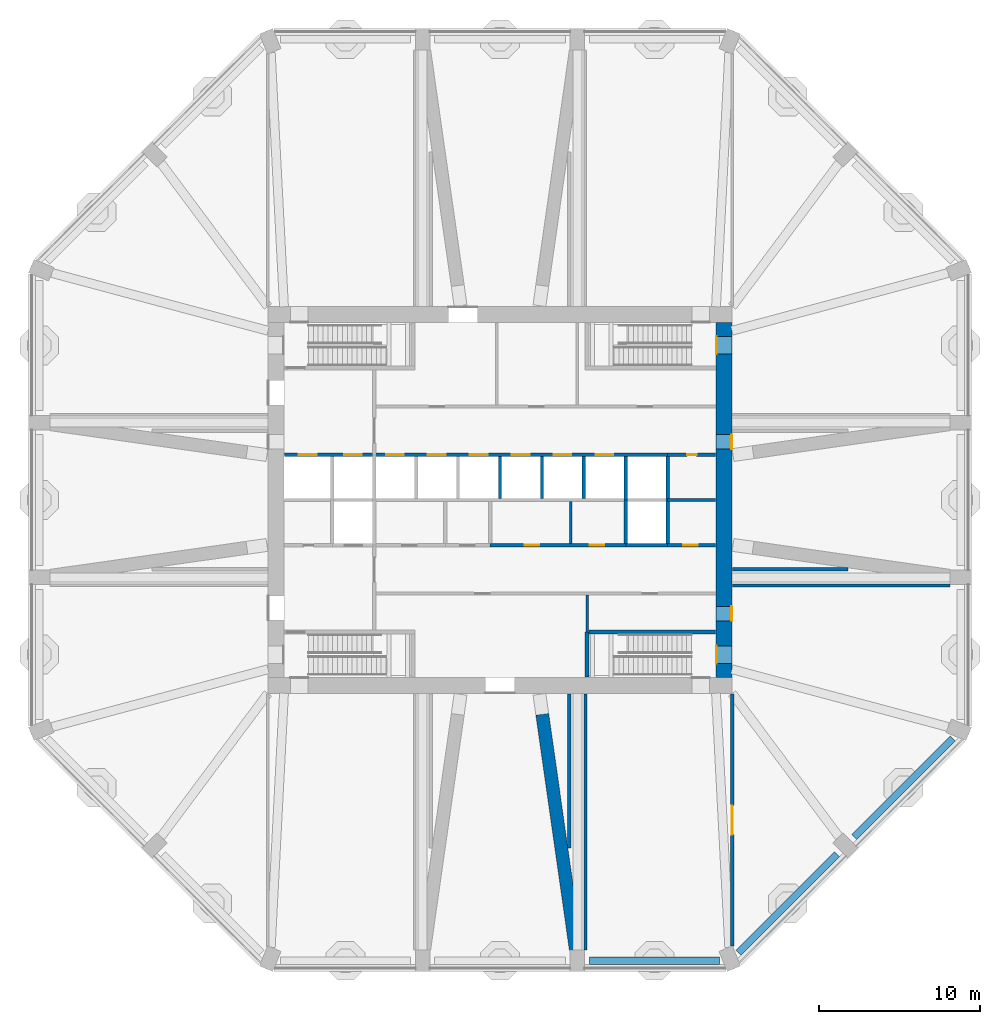
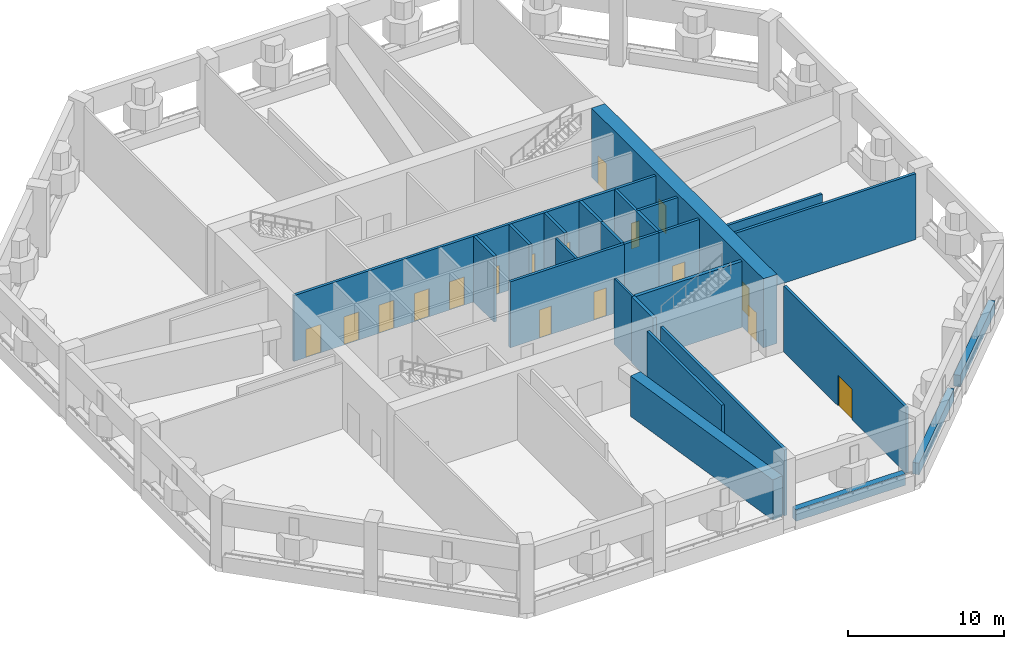
# One storey, part 4 of 9: 26 walls, 17 doors, 17 openings.
"""IFC4 building model written with IfcOpenShell, lengths in metres."""

from ifc_helpers import new_model, si_unit, direction, frame, frame_2d, origin, place, context, subcontext, project, spatial, rectangle, extrude, material, layer, layer_set, type_object, element, fill, save


model = new_model("IFC4")

# Units and contexts
model_context = context("Model", 3, precision=1e-05, world=origin(), true_north=direction((0.0, 1.0)))
body_context = subcontext(model_context, "Body", "Model", "MODEL_VIEW")
ifc_project = project(units=[si_unit("LENGTHUNIT", "METRE"), si_unit("AREAUNIT", "SQUARE_METRE"), si_unit("VOLUMEUNIT", "CUBIC_METRE"), si_unit("PLANEANGLEUNIT", "RADIAN"), si_unit("MASSUNIT", "GRAM", prefix="KILO")], contexts=[model_context])

# Site, building, storey
site_placement = place(None, origin())
site = spatial("IfcSite", under=ifc_project, at=site_placement, CompositionType="ELEMENT")
building_placement = place(site_placement, origin())
building = spatial("IfcBuilding", under=site, at=building_placement, Name="Msitu Wima Residences", CompositionType="ELEMENT")
storey_placement = place(building_placement, frame((0.0, 0.0, 101.10009765625)))
storey = spatial("IfcBuildingStorey", under=building, at=storey_placement, Name="L23", CompositionType="ELEMENT", Elevation=101.10009765625)

# Walls
ifc_material_1 = material(Name="Facing brick")
ifc_layer_1 = layer(ifc_material_1, 0.06494140625, Name="Facing brick")
ifc_material_2 = material(Name="Concrete C40/50", Category="concrete")
ifc_layer_2 = layer(ifc_material_2, 0.156005859375, Name="Concrete C40/50")
ifc_material_3 = material(Name="Waterproofing membrane")
ifc_layer_3 = layer(ifc_material_3, 0.00390625, Name="Waterproofing membrane")
ifc_material_4 = material(Name="Planting soil and planting")
ifc_layer_4 = layer(ifc_material_4, 0.22509765625, Name="Planting soil and planting")
ifc_layer_set_1 = layer_set([ifc_layer_1, ifc_layer_2, ifc_layer_3, ifc_layer_4], Name="Concrete C40/50")
wall_type_1 = type_object("IfcWallType", Name="Balcony planter PLANTER PL450", PredefinedType="USERDEFINED", material=ifc_layer_set_1)
wall_1_placement = place(storey_placement, frame((5.550048828125, -28.574951171875, 0.0), z_axis=(0.0, 0.0, 1.0), x_axis=(1.0, 0.0, 0.0)))
element("IfcWall", 1, at=wall_1_placement, inside=storey, type_object=wall_type_1, Name="Refuge planter L23 S2", ObjectType="PLANTER", PredefinedType="USERDEFINED", context=body_context, shape_type="SweptSolid", body=[
    extrude(rectangle(XDim=8.06298828125, YDim=0.449951171875, at=frame_2d((4.031494140625, 0.0))), origin(), (0.0, 0.0, 1.0), 0.89990234375),
])
for number, where, z_axis, x_axis, name in (
    (2, (14.79736328125, -28.08447265625, 0.0), (0.0, 0.0, 1.0), (0.707106781187, 0.707106781187, 0.0), "Refuge planter L23 SE0"),
    (3, (21.97119140625, -20.91064453125, 0.0), (0.0, 0.0, 1.0), (0.707106781187, 0.707106781187, 0.0), "Refuge planter L23 SE1"),
):
    element("IfcWall", number, at=place(storey_placement, frame(where, z_axis=z_axis, x_axis=x_axis)), inside=storey, type_object=wall_type_1, Name=name, ObjectType="PLANTER", PredefinedType="USERDEFINED", context=body_context, shape_type="SweptSolid", body=[
        extrude(rectangle(XDim=8.6455078125, YDim=0.449951171875, at=frame_2d((4.32275390625, 0.0))), origin(), (0.0, 0.0, 1.0), 0.89990234375),
    ])

# Wall, openings, doors
ifc_material_5 = material(Name="Concrete C80/95", Category="concrete")
ifc_layer_5 = layer(ifc_material_5, 1.0)
ifc_layer_set_2 = layer_set([ifc_layer_5], Name="Concrete C80/95")
wall_type_2 = type_object("IfcWallType", Name="Core wall CW1000 C80/95", PredefinedType="SHEAR", material=ifc_layer_set_2)
wall_2_placement = place(storey_placement, frame((13.89990234375, -11.0, 0.0), z_axis=(0.0, 0.0, 1.0), x_axis=(0.0, 1.0, 0.0)))
wall_2 = element("IfcWall", 4, at=wall_2_placement, inside=storey, type_object=wall_type_2, Name="Core wall", PredefinedType="SHEAR", context=body_context, shape_type="SweptSolid", body=[
    extrude(rectangle(XDim=22.0, YDim=1.0, at=frame_2d((11.0, 0.0))), origin(), (0.0, 0.0, 1.0), 5.39990234375),
])
opening_1_placement = place(wall_2_placement, frame((20.050048828125, 0.0, 0.0)))
opening_1 = element("IfcOpeningElement", 5, at=opening_1_placement, cuts=wall_2, Name="Opening D23.023", PredefinedType="OPENING", context=body_context, shape_type="SweptSolid", body=[
    extrude(rectangle(XDim=1.10009765625, YDim=2.199951171875, at=frame_2d((0.550048828125, 1.10009765625))), frame((0.0, 0.510009765625, 0.0), z_axis=(0.0, -1.0, 0.0), x_axis=(1.0, 0.0, 0.0)), (0.0, 0.0, 1.0), 1.02001953125),
])
opening_2_placement = place(wall_2_placement, frame((14.14990234375, 0.0, 0.0)))
opening_2 = element("IfcOpeningElement", 6, at=opening_2_placement, cuts=wall_2, Name="Opening D23.024", PredefinedType="OPENING", context=body_context, shape_type="SweptSolid", body=[
    extrude(rectangle(XDim=0.89990234375, YDim=2.199951171875, at=frame_2d((0.449951171875, 1.10009765625))), frame((0.0, 0.510009765625, 0.0), z_axis=(0.0, -1.0, 0.0), x_axis=(1.0, 0.0, 0.0)), (0.0, 0.0, 1.0), 1.02001953125),
])
opening_3_placement = place(wall_2_placement, frame((0.85009765625, 0.0, 0.0)))
opening_3 = element("IfcOpeningElement", 7, at=opening_3_placement, cuts=wall_2, Name="Opening D23.025", PredefinedType="OPENING", context=body_context, shape_type="SweptSolid", body=[
    extrude(rectangle(XDim=1.10009765625, YDim=2.199951171875, at=frame_2d((0.550048828125, 1.10009765625))), frame((0.0, 0.510009765625, 0.0), z_axis=(0.0, -1.0, 0.0), x_axis=(1.0, 0.0, 0.0)), (0.0, 0.0, 1.0), 1.02001953125),
])
opening_4_placement = place(wall_2_placement, frame((3.5, 0.0, 0.0)))
opening_4 = element("IfcOpeningElement", 8, at=opening_4_placement, cuts=wall_2, Name="Opening D23.031", PredefinedType="OPENING", context=body_context, shape_type="SweptSolid", body=[
    extrude(rectangle(XDim=0.89990234375, YDim=2.199951171875, at=frame_2d((0.449951171875, 1.10009765625))), frame((0.0, 0.510009765625, 0.0), z_axis=(0.0, -1.0, 0.0), x_axis=(1.0, 0.0, 0.0)), (0.0, 0.0, 1.0), 1.02001953125),
])
ifc_material_6 = material(Name="Timber flush door", Category="wood")
door_type_1 = type_object("IfcDoorType", Name="Service door D05 900x2200", OperationType="SINGLE_SWING_LEFT", PredefinedType="DOOR", material=ifc_material_6)
door_1_placement = place(opening_2_placement, origin())
door_1 = element("IfcDoor", 9, at=door_1_placement, inside=storey, type_object=door_type_1, Name="Service door", OperationType="SINGLE_SWING_LEFT", OverallHeight=2.199951171875, OverallWidth=0.89990234375, PredefinedType="DOOR", context=body_context, shape_type="SweptSolid", body=[
    extrude(rectangle(XDim=0.89990234375, YDim=2.199951171875, at=frame_2d((0.449951171875, 1.10009765625))), frame((0.0, -0.44482421875, 0.0), z_axis=(0.0, -1.0, 0.0), x_axis=(1.0, 0.0, 0.0)), (0.0, 0.0, 1.0), 0.050048828125),
])
fill(opening_2, door_1)
door_2_placement = place(opening_4_placement, origin())
door_2 = element("IfcDoor", 10, at=door_2_placement, inside=storey, type_object=door_type_1, Name="Service door", OperationType="SINGLE_SWING_LEFT", OverallHeight=2.199951171875, OverallWidth=0.89990234375, PredefinedType="DOOR", context=body_context, shape_type="SweptSolid", body=[
    extrude(rectangle(XDim=0.89990234375, YDim=2.199951171875, at=frame_2d((0.449951171875, 1.10009765625))), frame((0.0, -0.44482421875, 0.0), z_axis=(0.0, -1.0, 0.0), x_axis=(1.0, 0.0, 0.0)), (0.0, 0.0, 1.0), 0.050048828125),
])
fill(opening_4, door_2)
ifc_material_7 = material(Name="Steel door, fire resisting, panic bar", Category="steel")
door_type_2 = type_object("IfcDoorType", Name="Stair door D06 1100x2200", OperationType="SINGLE_SWING_LEFT", PredefinedType="DOOR", material=ifc_material_7)
door_3_placement = place(opening_1_placement, origin())
door_3 = element("IfcDoor", 11, at=door_3_placement, inside=storey, type_object=door_type_2, Name="Stair door", OperationType="SINGLE_SWING_LEFT", OverallHeight=2.199951171875, OverallWidth=1.10009765625, PredefinedType="DOOR", context=body_context, shape_type="SweptSolid", body=[
    extrude(rectangle(XDim=1.10009765625, YDim=2.199951171875, at=frame_2d((0.550048828125, 1.10009765625))), frame((0.0, 0.4951171875, 0.0), z_axis=(0.0, -1.0, 0.0), x_axis=(1.0, 0.0, 0.0)), (0.0, 0.0, 1.0), 0.050048828125),
])
fill(opening_1, door_3)
door_4_placement = place(opening_3_placement, origin())
door_4 = element("IfcDoor", 12, at=door_4_placement, inside=storey, type_object=door_type_2, Name="Stair door", OperationType="SINGLE_SWING_RIGHT", OverallHeight=2.199951171875, OverallWidth=1.10009765625, PredefinedType="DOOR", context=body_context, shape_type="SweptSolid", body=[
    extrude(rectangle(XDim=1.10009765625, YDim=2.199951171875, at=frame_2d((0.550048828125, 1.10009765625))), frame((0.0, 0.4951171875, 0.0), z_axis=(0.0, -1.0, 0.0), x_axis=(1.0, 0.0, 0.0)), (0.0, 0.0, 1.0), 0.050048828125),
])
fill(opening_3, door_4)

ifc_material_8 = material(Name="Plaster")
ifc_layer_6 = layer(ifc_material_8, 0.011962890625, Name="Plaster")
ifc_material_9 = material(Name="Concrete blockwork", Category="masonry")
ifc_layer_7 = layer(ifc_material_9, 0.176025390625, Name="Concrete blockwork")
ifc_layer_8 = layer(ifc_material_8, 0.011962890625, Name="Plaster")
ifc_layer_set_3 = layer_set([ifc_layer_6, ifc_layer_7, ifc_layer_8], Name="Concrete blockwork")
wall_type_3 = type_object("IfcWallType", Name="Corridor wall FW200", PredefinedType="PARTITIONING", material=ifc_layer_set_3)
wall_3_placement = place(storey_placement, frame((-0.6201171875, -2.800048828125, 0.0), z_axis=(0.0, 0.0, 1.0), x_axis=(1.0, 0.0, 0.0)))
wall_3 = element("IfcWall", 13, at=wall_3_placement, inside=storey, type_object=wall_type_3, Name="Corridor wall", PredefinedType="PARTITIONING", context=body_context, shape_type="SweptSolid", body=[
    extrude(rectangle(XDim=8.440185546875, YDim=0.199951171875, at=frame_2d((4.22021484375, 0.0))), origin(), (0.0, 0.0, 1.0), 5.14990234375),
])
opening_5_placement = place(wall_3_placement, frame((2.14990234375, 0.0, 0.0)))
opening_5 = element("IfcOpeningElement", 14, at=opening_5_placement, cuts=wall_3, Name="Opening D23.013", PredefinedType="OPENING", context=body_context, shape_type="SweptSolid", body=[
    extrude(rectangle(XDim=0.89990234375, YDim=2.199951171875, at=frame_2d((0.449951171875, 1.10009765625))), frame((0.0, 0.10986328125, 0.0), z_axis=(0.0, -1.0, 0.0), x_axis=(1.0, 0.0, 0.0)), (0.0, 0.0, 1.0), 0.219970703125),
])
opening_6_placement = place(wall_3_placement, frame((6.199951171875, 0.0, 0.0)))
opening_6 = element("IfcOpeningElement", 15, at=opening_6_placement, cuts=wall_3, Name="Opening D23.014", PredefinedType="OPENING", context=body_context, shape_type="SweptSolid", body=[
    extrude(rectangle(XDim=0.89990234375, YDim=2.199951171875, at=frame_2d((0.449951171875, 1.10009765625))), frame((0.0, 0.10986328125, 0.0), z_axis=(0.0, -1.0, 0.0), x_axis=(1.0, 0.0, 0.0)), (0.0, 0.0, 1.0), 0.219970703125),
])
door_5_placement = place(opening_5_placement, origin())
door_5 = element("IfcDoor", 16, at=door_5_placement, inside=storey, type_object=door_type_1, Name="Service door", OperationType="SINGLE_SWING_RIGHT", OverallHeight=2.199951171875, OverallWidth=0.89990234375, PredefinedType="DOOR", context=body_context, shape_type="SweptSolid", body=[
    extrude(rectangle(XDim=0.89990234375, YDim=2.199951171875, at=frame_2d((0.449951171875, 1.10009765625))), frame((0.0, 0.02490234375, 0.0), z_axis=(0.0, -1.0, 0.0), x_axis=(1.0, 0.0, 0.0)), (0.0, 0.0, 1.0), 0.050048828125),
])
fill(opening_5, door_5)
door_6_placement = place(opening_6_placement, origin())
door_6 = element("IfcDoor", 17, at=door_6_placement, inside=storey, type_object=door_type_1, Name="Service door", OperationType="SINGLE_SWING_LEFT", OverallHeight=2.199951171875, OverallWidth=0.89990234375, PredefinedType="DOOR", context=body_context, shape_type="SweptSolid", body=[
    extrude(rectangle(XDim=0.89990234375, YDim=2.199951171875, at=frame_2d((0.449951171875, 1.10009765625))), frame((0.0, 0.02490234375, 0.0), z_axis=(0.0, -1.0, 0.0), x_axis=(1.0, 0.0, 0.0)), (0.0, 0.0, 1.0), 0.050048828125),
])
fill(opening_6, door_6)

# Walls
ifc_layer_9 = layer(ifc_material_5, 0.800048828125)
ifc_layer_set_4 = layer_set([ifc_layer_9], Name="Concrete C80/95")
wall_type_4 = type_object("IfcWallType", Name="Outrigger wall 800 Concrete C80/95", PredefinedType="SHEAR", material=ifc_layer_set_4)
wall_4_placement = place(storey_placement, frame((2.62109375, -13.287109375, 0.0), z_axis=(0.0, 0.0, 1.0), x_axis=(0.141104108698, -0.989994762869, 0.0)))
element("IfcWall", 18, at=wall_4_placement, inside=storey, type_object=wall_type_4, Name="Outrigger wall L23 C-S2", PredefinedType="SHEAR", context=body_context, shape_type="SweptSolid", body=[
    extrude(rectangle(XDim=14.760498046875, YDim=0.800048828125, at=frame_2d((7.38037109375, 0.0))), origin(), (0.0, 0.0, 1.0), 3.14990234375),
])
ifc_layer_10 = layer(ifc_material_8, 0.011962890625, Name="Plaster")
ifc_layer_11 = layer(ifc_material_9, 0.1259765625, Name="Concrete blockwork")
ifc_layer_12 = layer(ifc_material_8, 0.011962890625, Name="Plaster")
ifc_layer_set_5 = layer_set([ifc_layer_10, ifc_layer_11, ifc_layer_12], Name="Concrete blockwork")
wall_type_5 = type_object("IfcWallType", Name="Partition PW150", PredefinedType="PARTITIONING", material=ifc_layer_set_5)
wall_5_placement = place(storey_placement, frame((4.39990234375, -2.699951171875, 0.0), z_axis=(0.0, 0.0, 1.0), x_axis=(0.0, 1.0, 0.0)))
element("IfcWall", 19, at=wall_5_placement, inside=storey, type_object=wall_type_5, Name="Partition", PredefinedType="PARTITIONING", context=body_context, shape_type="SweptSolid", body=[
    extrude(rectangle(XDim=2.599853515625, YDim=0.14990234375, at=frame_2d((1.2998046875, 0.0))), origin(), (0.0, 0.0, 1.0), 5.14990234375),
])
wall_6_placement = place(storey_placement, frame((5.39990234375, -8.199951171875, 0.0), z_axis=(0.0, 0.0, 1.0), x_axis=(0.0, 1.0, 0.0)))
element("IfcWall", 20, at=wall_6_placement, inside=storey, type_object=wall_type_5, Name="Partition", PredefinedType="PARTITIONING", context=body_context, shape_type="SweptSolid", body=[
    extrude(rectangle(XDim=2.300048828125, YDim=0.14990234375, at=frame_2d((1.14990234375, 0.0))), origin(), (0.0, 0.0, 1.0), 5.14990234375),
])
ifc_layer_13 = layer(ifc_material_8, 0.011962890625, Name="Plaster")
ifc_material_10 = material(Name="Reinforced concrete blockwork", Category="masonry")
ifc_layer_14 = layer(ifc_material_10, 0.176025390625, Name="Reinforced concrete blockwork")
ifc_layer_15 = layer(ifc_material_8, 0.011962890625, Name="Plaster")
ifc_layer_set_6 = layer_set([ifc_layer_13, ifc_layer_14, ifc_layer_15], Name="Reinforced concrete blockwork")
wall_type_6 = type_object("IfcWallType", Name="Plant and riser wall PL200", PredefinedType="PARTITIONING", material=ifc_layer_set_6)
wall_7_placement = place(storey_placement, frame((4.300048828125, -21.58203125, 0.0), z_axis=(0.0, 0.0, 1.0), x_axis=(0.0, 1.0, 0.0)))
element("IfcWall", 21, at=wall_7_placement, inside=storey, type_object=wall_type_6, Name="Plant and riser wall", PredefinedType="PARTITIONING", context=body_context, shape_type="SweptSolid", body=[
    extrude(rectangle(XDim=9.552001953125, YDim=0.199951171875, at=frame_2d((4.77587890625, 0.0))), origin(), (0.0, 0.0, 1.0), 5.14990234375),
])
wall_8_placement = place(storey_placement, frame((5.300048828125, -27.89990234375, 0.0), z_axis=(0.0, 0.0, 1.0), x_axis=(0.0, 1.0, 0.0)))
element("IfcWall", 22, at=wall_8_placement, inside=storey, type_object=wall_type_6, Name="Plant and riser wall", PredefinedType="PARTITIONING", context=body_context, shape_type="SweptSolid", body=[
    extrude(rectangle(XDim=15.869873046875, YDim=0.199951171875, at=frame_2d((7.93505859375, 0.0))), origin(), (0.0, 0.0, 1.0), 5.14990234375),
])

# Wall, opening, door
wall_9_placement = place(storey_placement, frame((10.3798828125, -2.800048828125, 0.0), z_axis=(0.0, 0.0, 1.0), x_axis=(1.0, 0.0, 0.0)))
wall_9 = element("IfcWall", 23, at=wall_9_placement, inside=storey, type_object=wall_type_6, Name="Plant and riser wall", PredefinedType="PARTITIONING", context=body_context, shape_type="SweptSolid", body=[
    extrude(rectangle(XDim=2.990234375, YDim=0.199951171875, at=frame_2d((1.4951171875, 0.0))), origin(), (0.0, 0.0, 1.0), 5.14990234375),
])
opening_7_placement = place(wall_9_placement, frame((1.0, 0.0, 0.0)))
opening_7 = element("IfcOpeningElement", 24, at=opening_7_placement, cuts=wall_9, Name="Opening D23.001", PredefinedType="OPENING", context=body_context, shape_type="SweptSolid", body=[
    extrude(rectangle(XDim=0.89990234375, YDim=2.199951171875, at=frame_2d((0.449951171875, 1.10009765625))), frame((0.0, 0.10986328125, 0.0), z_axis=(0.0, -1.0, 0.0), x_axis=(1.0, 0.0, 0.0)), (0.0, 0.0, 1.0), 0.219970703125),
])
door_7_placement = place(opening_7_placement, origin())
door_7 = element("IfcDoor", 25, at=door_7_placement, inside=storey, type_object=door_type_1, Name="Service door", OperationType="SINGLE_SWING_LEFT", OverallHeight=2.199951171875, OverallWidth=0.89990234375, PredefinedType="DOOR", context=body_context, shape_type="SweptSolid", body=[
    extrude(rectangle(XDim=0.89990234375, YDim=2.199951171875, at=frame_2d((0.449951171875, 1.10009765625))), frame((0.0, 0.02490234375, 0.0), z_axis=(0.0, -1.0, 0.0), x_axis=(1.0, 0.0, 0.0)), (0.0, 0.0, 1.0), 0.050048828125),
])
fill(opening_7, door_7)

wall_10_placement = place(storey_placement, frame((10.39990234375, 2.800048828125, 0.0), z_axis=(0.0, 0.0, 1.0), x_axis=(1.0, 0.0, 0.0)))
wall_10 = element("IfcWall", 26, at=wall_10_placement, inside=storey, type_object=wall_type_6, Name="Plant and riser wall", PredefinedType="PARTITIONING", context=body_context, shape_type="SweptSolid", body=[
    extrude(rectangle(XDim=2.97021484375, YDim=0.199951171875, at=frame_2d((1.485107421875, 0.0))), origin(), (0.0, 0.0, 1.0), 5.14990234375),
])
opening_8_placement = place(wall_10_placement, frame((1.199951171875, 0.0, 0.0)))
opening_8 = element("IfcOpeningElement", 27, at=opening_8_placement, cuts=wall_10, Name="Opening D23.009", PredefinedType="OPENING", context=body_context, shape_type="SweptSolid", body=[
    extrude(rectangle(XDim=0.60009765625, YDim=2.0, at=frame_2d((0.300048828125, 1.0))), frame((0.0, 0.10986328125, 0.0), z_axis=(0.0, -1.0, 0.0), x_axis=(1.0, 0.0, 0.0)), (0.0, 0.0, 1.0), 0.219970703125),
])
ifc_material_11 = material(Name="Steel access door, fire resisting", Category="steel")
door_type_3 = type_object("IfcDoorType", Name="Riser access door D08 600x2000", OperationType="SINGLE_SWING_LEFT", PredefinedType="DOOR", material=ifc_material_11)
door_8_placement = place(opening_8_placement, origin())
door_8 = element("IfcDoor", 28, at=door_8_placement, inside=storey, type_object=door_type_3, Name="Riser access door", OperationType="SINGLE_SWING_RIGHT", OverallHeight=2.0, OverallWidth=0.60009765625, PredefinedType="DOOR", context=body_context, shape_type="SweptSolid", body=[
    extrude(rectangle(XDim=0.60009765625, YDim=2.0, at=frame_2d((0.300048828125, 1.0))), frame((0.0, 0.02490234375, 0.0), z_axis=(0.0, -1.0, 0.0), x_axis=(1.0, 0.0, 0.0)), (0.0, 0.0, 1.0), 0.050048828125),
])
fill(opening_8, door_8)

# Wall
wall_11_placement = place(storey_placement, frame((10.39990234375, 0.0, 0.0), z_axis=(0.0, 0.0, 1.0), x_axis=(1.0, 0.0, 0.0)))
element("IfcWall", 29, at=wall_11_placement, inside=storey, type_object=wall_type_6, Name="Plant and riser wall", PredefinedType="PARTITIONING", context=body_context, shape_type="SweptSolid", body=[
    extrude(rectangle(XDim=2.97021484375, YDim=0.199951171875, at=frame_2d((1.485107421875, 0.0))), origin(), (0.0, 0.0, 1.0), 5.14990234375),
])

# Wall, opening, door
wall_12_placement = place(storey_placement, frame((14.39990234375, -27.664306640625, 0.0), z_axis=(0.0, 0.0, 1.0), x_axis=(0.0, 1.0, 0.0)))
wall_12 = element("IfcWall", 30, at=wall_12_placement, inside=storey, type_object=wall_type_6, Name="Plant and riser wall", PredefinedType="PARTITIONING", context=body_context, shape_type="SweptSolid", body=[
    extrude(rectangle(XDim=15.63427734375, YDim=0.199951171875, at=frame_2d((7.817138671875, 0.0))), origin(), (0.0, 0.0, 1.0), 5.14990234375),
])
opening_9_placement = place(wall_12_placement, frame((6.89990234375, 0.0, 0.0)))
opening_9 = element("IfcOpeningElement", 31, at=opening_9_placement, cuts=wall_12, Name="Opening D23.032", PredefinedType="OPENING", context=body_context, shape_type="SweptSolid", body=[
    extrude(rectangle(XDim=1.800048828125, YDim=2.39990234375, at=frame_2d((0.89990234375, 1.199951171875))), frame((0.0, 0.10986328125, 0.0), z_axis=(0.0, -1.0, 0.0), x_axis=(1.0, 0.0, 0.0)), (0.0, 0.0, 1.0), 0.219970703125),
])
ifc_material_12 = material(Name="Steel door, fire resisting", Category="steel")
door_type_4 = type_object("IfcDoorType", Name="Plant room door D09 1800x2400", OperationType="DOUBLE_DOOR_SINGLE_SWING", PredefinedType="DOOR", material=ifc_material_12)
door_9_placement = place(opening_9_placement, origin())
door_9 = element("IfcDoor", 32, at=door_9_placement, inside=storey, type_object=door_type_4, Name="Plant room door", OperationType="DOUBLE_DOOR_SINGLE_SWING", OverallHeight=2.39990234375, OverallWidth=1.800048828125, PredefinedType="DOOR", context=body_context, shape_type="SweptSolid", body=[
    extrude(rectangle(XDim=1.800048828125, YDim=2.39990234375, at=frame_2d((0.89990234375, 1.199951171875))), frame((0.0, 0.02490234375, 0.0), z_axis=(0.0, -1.0, 0.0), x_axis=(1.0, 0.0, 0.0)), (0.0, 0.0, 1.0), 0.050048828125),
])
fill(opening_9, door_9)

# Walls
wall_13_placement = place(storey_placement, frame((14.429931640625, -5.300048828125, 0.0), z_axis=(0.0, 0.0, 1.0), x_axis=(1.0, 0.0, 0.0)))
element("IfcWall", 33, at=wall_13_placement, inside=storey, type_object=wall_type_6, Name="Plant and riser wall", PredefinedType="PARTITIONING", context=body_context, shape_type="SweptSolid", body=[
    extrude(rectangle(XDim=13.469970703125, YDim=0.199951171875, at=frame_2d((6.73486328125, 0.0))), origin(), (0.0, 0.0, 1.0), 5.14990234375),
])
wall_14_placement = place(storey_placement, frame((14.429931640625, -4.300048828125, 0.0), z_axis=(0.0, 0.0, 1.0), x_axis=(1.0, 0.0, 0.0)))
element("IfcWall", 34, at=wall_14_placement, inside=storey, type_object=wall_type_6, Name="Plant and riser wall", PredefinedType="PARTITIONING", context=body_context, shape_type="SweptSolid", body=[
    extrude(rectangle(XDim=7.152099609375, YDim=0.199951171875, at=frame_2d((3.576171875, 0.0))), origin(), (0.0, 0.0, 1.0), 5.14990234375),
])

# Wall, openings, doors
ifc_material_13 = material(Name="Fire-rated board")
ifc_layer_16 = layer(ifc_material_13, 0.02490234375, Name="Fire-rated board")
ifc_material_14 = material(Name="Light-gauge stud framing with mineral wool")
ifc_layer_17 = layer(ifc_material_14, 0.14990234375, Name="Light-gauge stud framing with mineral wool")
ifc_layer_18 = layer(ifc_material_13, 0.02490234375, Name="Fire-rated board")
ifc_layer_set_7 = layer_set([ifc_layer_16, ifc_layer_17, ifc_layer_18], Name="Light-gauge stud framing with mineral wool")
wall_type_7 = type_object("IfcWallType", Name="Shaft wall SH200", PredefinedType="PARTITIONING", material=ifc_layer_set_7)
wall_15_placement = place(storey_placement, frame((-13.3701171875, 2.800048828125, 0.0), z_axis=(0.0, 0.0, 1.0), x_axis=(1.0, 0.0, 0.0)))
wall_15 = element("IfcWall", 35, at=wall_15_placement, inside=storey, type_object=wall_type_7, Name="Shaft wall", PredefinedType="PARTITIONING", context=body_context, shape_type="SweptSolid", body=[
    extrude(rectangle(XDim=23.77001953125, YDim=0.199951171875, at=frame_2d((11.885009765625, 0.0))), origin(), (0.0, 0.0, 1.0), 5.14990234375),
])
opening_10_placement = place(wall_15_placement, frame((0.89990234375, 0.0, 0.0)))
opening_10 = element("IfcOpeningElement", 36, at=opening_10_placement, cuts=wall_15, Name="Opening LD", PredefinedType="OPENING", context=body_context, shape_type="SweptSolid", body=[
    extrude(rectangle(XDim=1.10009765625, YDim=2.199951171875, at=frame_2d((0.550048828125, 1.10009765625))), frame((0.0, 0.10986328125, 0.0), z_axis=(0.0, -1.0, 0.0), x_axis=(1.0, 0.0, 0.0)), (0.0, 0.0, 1.0), 0.219970703125),
])
opening_11_placement = place(wall_15_placement, frame((3.699951171875, 0.0, 0.0)))
opening_11 = element("IfcOpeningElement", 37, at=opening_11_placement, cuts=wall_15, Name="Opening LD", PredefinedType="OPENING", context=body_context, shape_type="SweptSolid", body=[
    extrude(rectangle(XDim=1.10009765625, YDim=2.199951171875, at=frame_2d((0.550048828125, 1.10009765625))), frame((0.0, 0.10986328125, 0.0), z_axis=(0.0, -1.0, 0.0), x_axis=(1.0, 0.0, 0.0)), (0.0, 0.0, 1.0), 0.219970703125),
])
opening_12_placement = place(wall_15_placement, frame((6.300048828125, 0.0, 0.0)))
opening_12 = element("IfcOpeningElement", 38, at=opening_12_placement, cuts=wall_15, Name="Opening LD", PredefinedType="OPENING", context=body_context, shape_type="SweptSolid", body=[
    extrude(rectangle(XDim=1.10009765625, YDim=2.199951171875, at=frame_2d((0.550048828125, 1.10009765625))), frame((0.0, 0.10986328125, 0.0), z_axis=(0.0, -1.0, 0.0), x_axis=(1.0, 0.0, 0.0)), (0.0, 0.0, 1.0), 0.219970703125),
])
opening_13_placement = place(wall_15_placement, frame((8.89990234375, 0.0, 0.0)))
opening_13 = element("IfcOpeningElement", 39, at=opening_13_placement, cuts=wall_15, Name="Opening LD", PredefinedType="OPENING", context=body_context, shape_type="SweptSolid", body=[
    extrude(rectangle(XDim=1.10009765625, YDim=2.199951171875, at=frame_2d((0.550048828125, 1.10009765625))), frame((0.0, 0.10986328125, 0.0), z_axis=(0.0, -1.0, 0.0), x_axis=(1.0, 0.0, 0.0)), (0.0, 0.0, 1.0), 0.219970703125),
])
opening_14_placement = place(wall_15_placement, frame((11.5, 0.0, 0.0)))
opening_14 = element("IfcOpeningElement", 40, at=opening_14_placement, cuts=wall_15, Name="Opening LD", PredefinedType="OPENING", context=body_context, shape_type="SweptSolid", body=[
    extrude(rectangle(XDim=1.10009765625, YDim=2.199951171875, at=frame_2d((0.550048828125, 1.10009765625))), frame((0.0, 0.10986328125, 0.0), z_axis=(0.0, -1.0, 0.0), x_axis=(1.0, 0.0, 0.0)), (0.0, 0.0, 1.0), 0.219970703125),
])
opening_15_placement = place(wall_15_placement, frame((14.10009765625, 0.0, 0.0)))
opening_15 = element("IfcOpeningElement", 41, at=opening_15_placement, cuts=wall_15, Name="Opening LD", PredefinedType="OPENING", context=body_context, shape_type="SweptSolid", body=[
    extrude(rectangle(XDim=1.10009765625, YDim=2.199951171875, at=frame_2d((0.550048828125, 1.10009765625))), frame((0.0, 0.10986328125, 0.0), z_axis=(0.0, -1.0, 0.0), x_axis=(1.0, 0.0, 0.0)), (0.0, 0.0, 1.0), 0.219970703125),
])
opening_16_placement = place(wall_15_placement, frame((16.699951171875, 0.0, 0.0)))
opening_16 = element("IfcOpeningElement", 42, at=opening_16_placement, cuts=wall_15, Name="Opening LD", PredefinedType="OPENING", context=body_context, shape_type="SweptSolid", body=[
    extrude(rectangle(XDim=1.10009765625, YDim=2.199951171875, at=frame_2d((0.550048828125, 1.10009765625))), frame((0.0, 0.10986328125, 0.0), z_axis=(0.0, -1.0, 0.0), x_axis=(1.0, 0.0, 0.0)), (0.0, 0.0, 1.0), 0.219970703125),
])
opening_17_placement = place(wall_15_placement, frame((19.300048828125, 0.0, 0.0)))
opening_17 = element("IfcOpeningElement", 43, at=opening_17_placement, cuts=wall_15, Name="Opening LD", PredefinedType="OPENING", context=body_context, shape_type="SweptSolid", body=[
    extrude(rectangle(XDim=1.10009765625, YDim=2.199951171875, at=frame_2d((0.550048828125, 1.10009765625))), frame((0.0, 0.10986328125, 0.0), z_axis=(0.0, -1.0, 0.0), x_axis=(1.0, 0.0, 0.0)), (0.0, 0.0, 1.0), 0.219970703125),
])
ifc_material_15 = material(Name="Stainless steel centre-opening landing door, rated", Category="steel")
door_type_5 = type_object("IfcDoorType", Name="Lift landing door LD 1100x2200", OperationType="DOUBLE_DOOR_SLIDING", PredefinedType="DOOR", material=ifc_material_15)
door_10_placement = place(opening_10_placement, origin())
door_10 = element("IfcDoor", 44, at=door_10_placement, inside=storey, type_object=door_type_5, Name="Lift landing door LD1", OperationType="DOUBLE_DOOR_SLIDING", OverallHeight=2.199951171875, OverallWidth=1.10009765625, PredefinedType="DOOR", context=body_context, shape_type="SweptSolid", body=[
    extrude(rectangle(XDim=1.10009765625, YDim=2.199951171875, at=frame_2d((0.550048828125, 1.10009765625))), frame((0.0, 0.02490234375, 0.0), z_axis=(0.0, -1.0, 0.0), x_axis=(1.0, 0.0, 0.0)), (0.0, 0.0, 1.0), 0.050048828125),
])
fill(opening_10, door_10)
door_11_placement = place(opening_11_placement, origin())
door_11 = element("IfcDoor", 45, at=door_11_placement, inside=storey, type_object=door_type_5, Name="Lift landing door LD2", OperationType="DOUBLE_DOOR_SLIDING", OverallHeight=2.199951171875, OverallWidth=1.10009765625, PredefinedType="DOOR", context=body_context, shape_type="SweptSolid", body=[
    extrude(rectangle(XDim=1.10009765625, YDim=2.199951171875, at=frame_2d((0.550048828125, 1.10009765625))), frame((0.0, 0.02490234375, 0.0), z_axis=(0.0, -1.0, 0.0), x_axis=(1.0, 0.0, 0.0)), (0.0, 0.0, 1.0), 0.050048828125),
])
fill(opening_11, door_11)
door_12_placement = place(opening_12_placement, origin())
door_12 = element("IfcDoor", 46, at=door_12_placement, inside=storey, type_object=door_type_5, Name="Lift landing door LD4", OperationType="DOUBLE_DOOR_SLIDING", OverallHeight=2.199951171875, OverallWidth=1.10009765625, PredefinedType="DOOR", context=body_context, shape_type="SweptSolid", body=[
    extrude(rectangle(XDim=1.10009765625, YDim=2.199951171875, at=frame_2d((0.550048828125, 1.10009765625))), frame((0.0, 0.02490234375, 0.0), z_axis=(0.0, -1.0, 0.0), x_axis=(1.0, 0.0, 0.0)), (0.0, 0.0, 1.0), 0.050048828125),
])
fill(opening_12, door_12)
door_13_placement = place(opening_13_placement, origin())
door_13 = element("IfcDoor", 47, at=door_13_placement, inside=storey, type_object=door_type_5, Name="Lift landing door LD6", OperationType="DOUBLE_DOOR_SLIDING", OverallHeight=2.199951171875, OverallWidth=1.10009765625, PredefinedType="DOOR", context=body_context, shape_type="SweptSolid", body=[
    extrude(rectangle(XDim=1.10009765625, YDim=2.199951171875, at=frame_2d((0.550048828125, 1.10009765625))), frame((0.0, 0.02490234375, 0.0), z_axis=(0.0, -1.0, 0.0), x_axis=(1.0, 0.0, 0.0)), (0.0, 0.0, 1.0), 0.050048828125),
])
fill(opening_13, door_13)
door_14_placement = place(opening_14_placement, origin())
door_14 = element("IfcDoor", 48, at=door_14_placement, inside=storey, type_object=door_type_5, Name="Lift landing door LD8", OperationType="DOUBLE_DOOR_SLIDING", OverallHeight=2.199951171875, OverallWidth=1.10009765625, PredefinedType="DOOR", context=body_context, shape_type="SweptSolid", body=[
    extrude(rectangle(XDim=1.10009765625, YDim=2.199951171875, at=frame_2d((0.550048828125, 1.10009765625))), frame((0.0, 0.02490234375, 0.0), z_axis=(0.0, -1.0, 0.0), x_axis=(1.0, 0.0, 0.0)), (0.0, 0.0, 1.0), 0.050048828125),
])
fill(opening_14, door_14)
door_15_placement = place(opening_15_placement, origin())
door_15 = element("IfcDoor", 49, at=door_15_placement, inside=storey, type_object=door_type_5, Name="Lift landing door LD10", OperationType="DOUBLE_DOOR_SLIDING", OverallHeight=2.199951171875, OverallWidth=1.10009765625, PredefinedType="DOOR", context=body_context, shape_type="SweptSolid", body=[
    extrude(rectangle(XDim=1.10009765625, YDim=2.199951171875, at=frame_2d((0.550048828125, 1.10009765625))), frame((0.0, 0.02490234375, 0.0), z_axis=(0.0, -1.0, 0.0), x_axis=(1.0, 0.0, 0.0)), (0.0, 0.0, 1.0), 0.050048828125),
])
fill(opening_15, door_15)
door_16_placement = place(opening_16_placement, origin())
door_16 = element("IfcDoor", 50, at=door_16_placement, inside=storey, type_object=door_type_5, Name="Lift landing door LD12", OperationType="DOUBLE_DOOR_SLIDING", OverallHeight=2.199951171875, OverallWidth=1.10009765625, PredefinedType="DOOR", context=body_context, shape_type="SweptSolid", body=[
    extrude(rectangle(XDim=1.10009765625, YDim=2.199951171875, at=frame_2d((0.550048828125, 1.10009765625))), frame((0.0, 0.02490234375, 0.0), z_axis=(0.0, -1.0, 0.0), x_axis=(1.0, 0.0, 0.0)), (0.0, 0.0, 1.0), 0.050048828125),
])
fill(opening_16, door_16)
door_17_placement = place(opening_17_placement, origin())
door_17 = element("IfcDoor", 51, at=door_17_placement, inside=storey, type_object=door_type_5, Name="Lift landing door LD14", OperationType="DOUBLE_DOOR_SLIDING", OverallHeight=2.199951171875, OverallWidth=1.10009765625, PredefinedType="DOOR", context=body_context, shape_type="SweptSolid", body=[
    extrude(rectangle(XDim=1.10009765625, YDim=2.199951171875, at=frame_2d((0.550048828125, 1.10009765625))), frame((0.0, 0.02490234375, 0.0), z_axis=(0.0, -1.0, 0.0), x_axis=(1.0, 0.0, 0.0)), (0.0, 0.0, 1.0), 0.050048828125),
])
fill(opening_17, door_17)

# Walls
for number, where, z_axis, x_axis, name in (
    (52, (0.0, 0.10009765625, 0.0), (0.0, 0.0, 1.0), (0.0, 1.0, 0.0), "Shaft wall"),
    (53, (2.60009765625, 0.10009765625, 0.0), (0.0, 0.0, 1.0), (0.0, 1.0, 0.0), "Shaft wall"),
    (54, (5.199951171875, 0.10009765625, 0.0), (0.0, 0.0, 1.0), (0.0, 1.0, 0.0), "Shaft wall"),
):
    element("IfcWall", number, at=place(storey_placement, frame(where, z_axis=z_axis, x_axis=x_axis)), inside=storey, type_object=wall_type_7, Name=name, PredefinedType="PARTITIONING", context=body_context, shape_type="SweptSolid", body=[
        extrude(rectangle(XDim=2.599853515625, YDim=0.199951171875, at=frame_2d((1.2998046875, 0.0))), origin(), (0.0, 0.0, 1.0), 5.14990234375),
    ])
wall_16_placement = place(storey_placement, frame((7.800048828125, -2.699951171875, 0.0), z_axis=(0.0, 0.0, 1.0), x_axis=(0.0, 1.0, 0.0)))
element("IfcWall", 55, at=wall_16_placement, inside=storey, type_object=wall_type_7, Name="Shaft wall", PredefinedType="PARTITIONING", context=body_context, shape_type="SweptSolid", body=[
    extrude(rectangle(XDim=2.699951171875, YDim=0.199951171875, at=frame_2d((1.35009765625, 0.0))), origin(), (0.0, 0.0, 1.0), 5.14990234375),
])
wall_17_placement = place(storey_placement, frame((7.820068359375, -2.800048828125, 0.0), z_axis=(0.0, 0.0, 1.0), x_axis=(1.0, 0.0, 0.0)))
element("IfcWall", 56, at=wall_17_placement, inside=storey, type_object=wall_type_7, Name="Shaft wall", PredefinedType="PARTITIONING", context=body_context, shape_type="SweptSolid", body=[
    extrude(rectangle(XDim=2.559814453125, YDim=0.199951171875, at=frame_2d((1.27978515625, 0.0))), origin(), (0.0, 0.0, 1.0), 5.14990234375),
])
wall_18_placement = place(storey_placement, frame((7.800048828125, 0.0, 0.0), z_axis=(0.0, 0.0, 1.0), x_axis=(0.0, 1.0, 0.0)))
element("IfcWall", 57, at=wall_18_placement, inside=storey, type_object=wall_type_7, Name="Shaft wall", PredefinedType="PARTITIONING", context=body_context, shape_type="SweptSolid", body=[
    extrude(rectangle(XDim=2.699951171875, YDim=0.199951171875, at=frame_2d((1.35009765625, 0.0))), origin(), (0.0, 0.0, 1.0), 5.14990234375),
])
wall_19_placement = place(storey_placement, frame((10.39990234375, -2.699951171875, 0.0), z_axis=(0.0, 0.0, 1.0), x_axis=(0.0, 1.0, 0.0)))
element("IfcWall", 58, at=wall_19_placement, inside=storey, type_object=wall_type_7, Name="Shaft wall", PredefinedType="PARTITIONING", context=body_context, shape_type="SweptSolid", body=[
    extrude(rectangle(XDim=5.39990234375, YDim=0.199951171875, at=frame_2d((2.699951171875, 0.0))), origin(), (0.0, 0.0, 1.0), 5.14990234375),
])
ifc_material_16 = material(Name="Concrete C50/60", Category="concrete")
ifc_layer_19 = layer(ifc_material_16, 0.25)
ifc_layer_set_8 = layer_set([ifc_layer_19], Name="Concrete C50/60")
wall_type_8 = type_object("IfcWallType", Name="Stair enclosure wall SW250", PredefinedType="SHEAR", material=ifc_layer_set_8)
wall_20_placement = place(storey_placement, frame((5.39990234375, -10.969970703125, 0.0), z_axis=(0.0, 0.0, 1.0), x_axis=(0.0, 1.0, 0.0)))
element("IfcWall", 59, at=wall_20_placement, inside=storey, type_object=wall_type_8, Name="Stair enclosure wall", PredefinedType="SHEAR", context=body_context, shape_type="SweptSolid", body=[
    extrude(rectangle(XDim=2.77001953125, YDim=0.25, at=frame_2d((1.385009765625, 0.0))), origin(), (0.0, 0.0, 1.0), 5.14990234375),
])
wall_21_placement = place(storey_placement, frame((5.52490234375, -8.199951171875, 0.0), z_axis=(0.0, 0.0, 1.0), x_axis=(1.0, 0.0, 0.0)))
element("IfcWall", 60, at=wall_21_placement, inside=storey, type_object=wall_type_8, Name="Stair enclosure wall", PredefinedType="SHEAR", context=body_context, shape_type="SweptSolid", body=[
    extrude(rectangle(XDim=7.84521484375, YDim=0.25, at=frame_2d((3.922607421875, 0.0))), origin(), (0.0, 0.0, 1.0), 5.14990234375),
])

save(model, "model.ifc")
